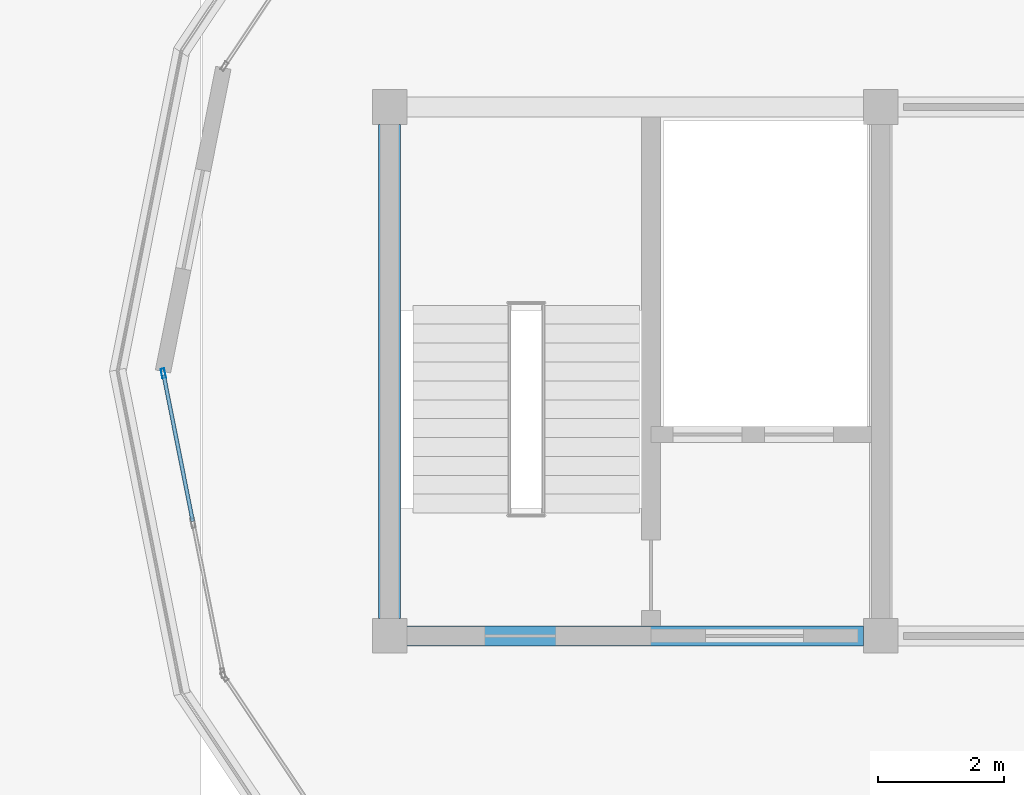
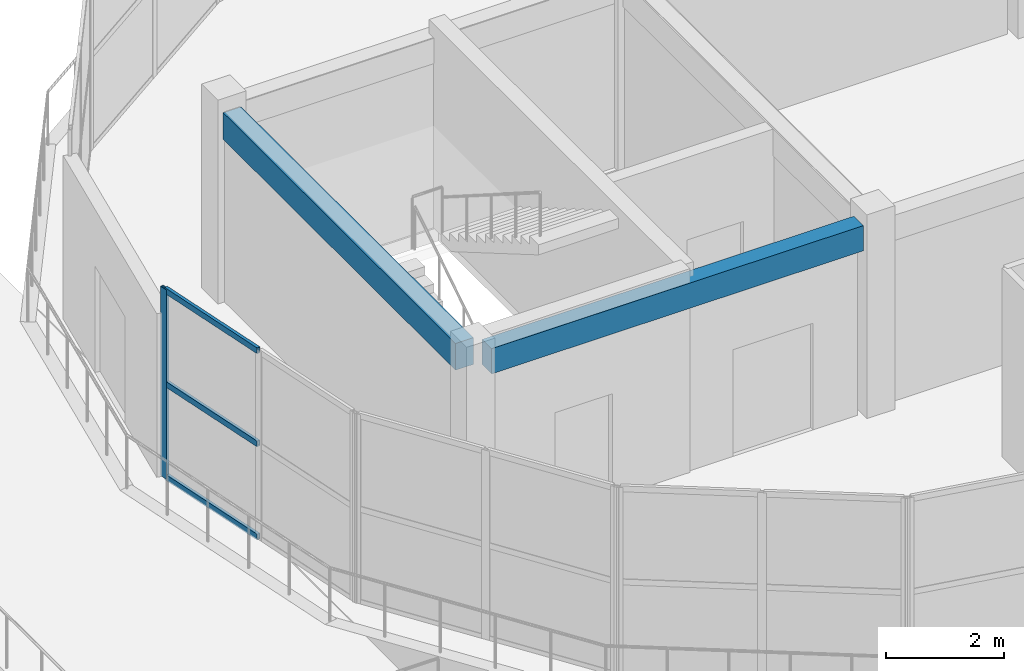
# One storey, part 3 of 33: 4 members, 2 beams, 1 element without a shape of its own.
"""IFC4 building model written with IfcOpenShell, lengths in metres."""

from ifc_helpers import new_model, si_unit, direction, frame, origin, origin_2d, place, context, subcontext, project, spatial, rectangle, hollow_rectangle, extrude, material, layer, layer_set, material_profile, profile_set, type_object, element, aggregate, save


model = new_model("IFC4")

# Units and contexts
model_context = context("Model", 3, precision=1e-05, world=origin(), true_north=direction((0.0, 1.0)))
body_context = subcontext(model_context, "Body", "Model", "MODEL_VIEW")
ifc_project = project(units=[si_unit("LENGTHUNIT", "METRE"), si_unit("AREAUNIT", "SQUARE_METRE"), si_unit("VOLUMEUNIT", "CUBIC_METRE"), si_unit("PLANEANGLEUNIT", "RADIAN"), si_unit("MASSUNIT", "GRAM", prefix="KILO")], contexts=[model_context])

# Site, building, storey
site_placement = place(None, origin())
site = spatial("IfcSite", under=ifc_project, at=site_placement, CompositionType="ELEMENT")
building_placement = place(site_placement, origin())
building = spatial("IfcBuilding", under=site, at=building_placement, Name="Zizhar Promenade General Hospital", CompositionType="ELEMENT")
storey_placement = place(building_placement, frame((0.0, 0.0, 39.0)))
storey = spatial("IfcBuildingStorey", under=building, at=storey_placement, Name="L09", CompositionType="ELEMENT", Elevation=39.0)

# Beams
ifc_material_1 = material(Name="Concrete C35/45", Category="concrete")
ifc_material_profile_1 = material_profile(ifc_material_1, rectangle(XDim=0.320068359375, YDim=0.52001953125, at=origin_2d()))
ifc_profile_set_1 = profile_set([ifc_material_profile_1], Name="Concrete C35/45")
beam_type_1 = type_object("IfcBeamType", Name="BM-RC-320x520", PredefinedType="LINTEL", material=ifc_profile_set_1)
beam_1_placement = place(storey_placement, frame((47.074951171875, 8.39990234375, 3.64990234375), z_axis=(1.0, 0.0, 0.0), x_axis=(0.0, 1.0, 0.0)))
element("IfcBeam", 1, at=beam_1_placement, inside=storey, type_object=beam_type_1, Name="Grid Beam X L09 (6-1)", PredefinedType="LINTEL", context=body_context, shape_type="SweptSolid", body=[
    extrude(rectangle(XDim=0.320068359375, YDim=0.52001953125, at=origin_2d()), origin(), (0.0, 0.0, 1.0), 7.25),
])
ifc_material_2 = material(Name="Concrete C35/45", Category="concrete")
ifc_material_profile_2 = material_profile(ifc_material_2, rectangle(XDim=0.35009765625, YDim=0.550048828125, at=origin_2d()))
ifc_profile_set_2 = profile_set([ifc_material_profile_2], Name="Concrete C35/45")
beam_type_2 = type_object("IfcBeamType", Name="BM-RC-350x550", PredefinedType="LINTEL", material=ifc_profile_set_2)
beam_2_placement = place(storey_placement, frame((46.800048828125, 8.675048828125, 3.635009765625), z_axis=(0.0, 1.0, 0.0), x_axis=(-1.0, 0.0, 0.0)))
element("IfcBeam", 2, at=beam_2_placement, inside=storey, type_object=beam_type_2, Name="Grid Beam Y L09 (6-1)", PredefinedType="LINTEL", context=body_context, shape_type="SweptSolid", body=[
    extrude(rectangle(XDim=0.35009765625, YDim=0.550048828125, at=origin_2d()), origin(), (0.0, 0.0, 1.0), 7.849853515625),
])

# Curtain wall, members
ifc_material_3 = material(Name="Anodised aluminium 6063-T6 and low-E glass", Category="aluminium")
ifc_layer = layer(ifc_material_3, 0.159912109375)
ifc_layer_set = layer_set([ifc_layer], Name="Anodised aluminium 6063-T6 and low-E glass")
curtain_wall_type = type_object("IfcCurtainWallType", Name="CW-WARD-ARC", PredefinedType="NOTDEFINED", material=ifc_layer_set)
curtain_wall_placement = place(storey_placement, origin())
curtain_wall = element("IfcCurtainWall", 3, at=curtain_wall_placement, inside=storey, type_object=curtain_wall_type, Name="Ward Semicircular End Glazing L09-14", PredefinedType="NOTDEFINED")
ifc_material_4 = material(Name="Anodised aluminium 6063-T6", Category="aluminium")
ifc_material_profile_3 = material_profile(ifc_material_4, hollow_rectangle(XDim=0.06005859375, YDim=0.14990234375, WallThickness=0.00390625, at=origin_2d()))
ifc_profile_set_3 = profile_set([ifc_material_profile_3], Name="Anodised aluminium 6063-T6")
member_type_1 = type_object("IfcMemberType", Name="CWM-ALU-150x60", PredefinedType="MULLION", material=ifc_profile_set_3)
member_1_placement = place(storey_placement, frame((43.205810546875, 12.570556640625, 0.0), z_axis=(0.0, 0.0, 1.0), x_axis=(-0.980785889615, -0.195087259275, 0.0)))
member_1 = element("IfcMember", 4, at=member_1_placement, type_object=member_type_1, Name="CW-12 mullion 3", PredefinedType="MULLION", context=body_context, shape_type="SweptSolid", body=[
    extrude(hollow_rectangle(XDim=0.06005859375, YDim=0.14990234375, WallThickness=0.00390625, at=origin_2d()), origin(), (0.0, 0.0, 1.0), 3.89990234375),
])
ifc_material_5 = material(Name="Anodised aluminium 6063-T6", Category="aluminium")
ifc_material_profile_4 = material_profile(ifc_material_5, hollow_rectangle(XDim=0.06005859375, YDim=0.1201171875, WallThickness=0.00390625, at=origin_2d()))
ifc_profile_set_4 = profile_set([ifc_material_profile_4], Name="Anodised aluminium 6063-T6")
member_type_2 = type_object("IfcMemberType", Name="CWT-ALU-120x60", PredefinedType="USERDEFINED", material=ifc_profile_set_4)
member_2_placement = place(storey_placement, frame((43.673583984375, 10.218505859375, 0.030029296875), z_axis=(-0.195045472693, 0.980794200422, 0.0), x_axis=(-0.980794200422, -0.195045472693, 0.0)))
member_2 = element("IfcMember", 5, at=member_2_placement, type_object=member_type_2, Name="CW-12 transom 2.1", ObjectType="TRANSOM", PredefinedType="USERDEFINED", context=body_context, shape_type="SweptSolid", body=[
    extrude(hollow_rectangle(XDim=0.06005859375, YDim=0.1201171875, WallThickness=0.00390625, at=origin_2d()), origin(), (0.0, 0.0, 1.0), 2.3681640625),
])
member_3_placement = place(storey_placement, frame((43.673583984375, 10.218505859375, 1.949951171875), z_axis=(-0.195045472693, 0.980794200422, 0.0), x_axis=(-0.980794200422, -0.195045472693, 0.0)))
member_3 = element("IfcMember", 6, at=member_3_placement, type_object=member_type_2, Name="CW-12 transom 2.2", ObjectType="TRANSOM", PredefinedType="USERDEFINED", context=body_context, shape_type="SweptSolid", body=[
    extrude(hollow_rectangle(XDim=0.06005859375, YDim=0.1201171875, WallThickness=0.00390625, at=origin_2d()), origin(), (0.0, 0.0, 1.0), 2.3681640625),
])
member_4_placement = place(storey_placement, frame((43.673583984375, 10.218505859375, 3.8701171875), z_axis=(-0.195045472693, 0.980794200422, 0.0), x_axis=(-0.980794200422, -0.195045472693, 0.0)))
member_4 = element("IfcMember", 7, at=member_4_placement, type_object=member_type_2, Name="CW-12 transom 2.3", ObjectType="TRANSOM", PredefinedType="USERDEFINED", context=body_context, shape_type="SweptSolid", body=[
    extrude(hollow_rectangle(XDim=0.06005859375, YDim=0.1201171875, WallThickness=0.00390625, at=origin_2d()), origin(), (0.0, 0.0, 1.0), 2.3681640625),
])
aggregate(curtain_wall, [member_1, member_2, member_3, member_4])

save(model, "model.ifc")
